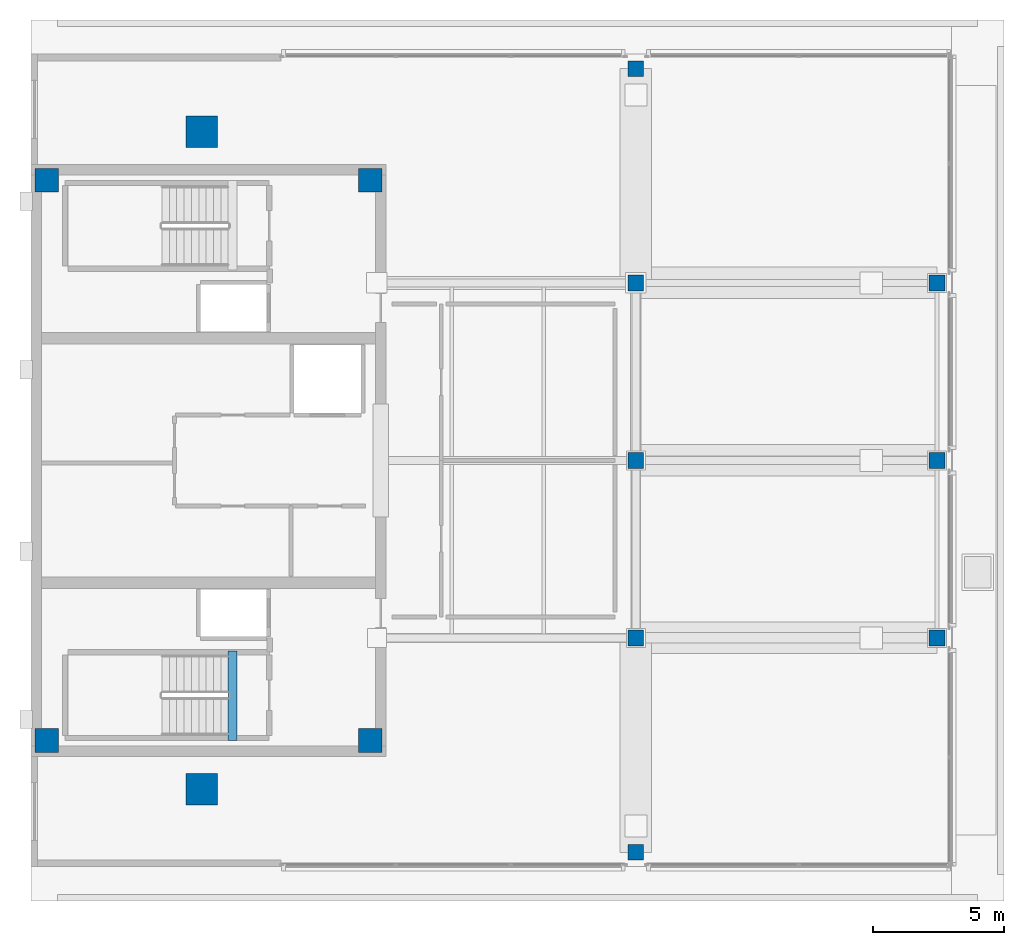
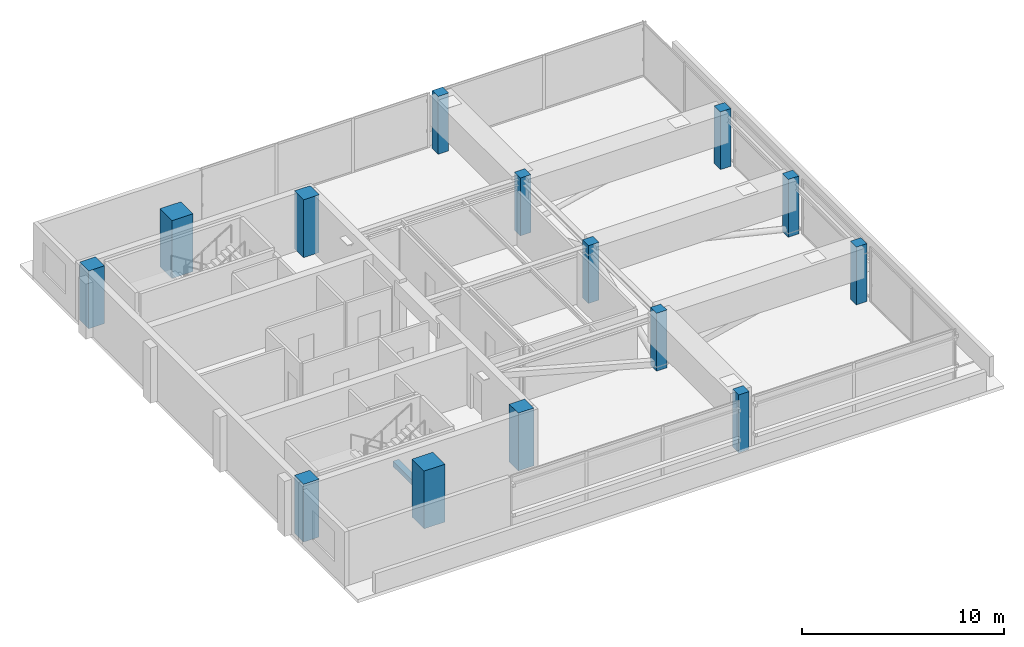
# One storey, part 1 of 11: 14 columns, 1 beam.
"""IFC4 building model written with IfcOpenShell, lengths in metres."""

from ifc_helpers import new_model, si_unit, direction, frame, origin, origin_2d, place, context, subcontext, project, spatial, rectangle, extrude, material, material_profile, profile_set, type_object, element, save


model = new_model("IFC4")

# Units and contexts
model_context = context("Model", 3, precision=1e-05, world=origin(), true_north=direction((0.0, 1.0)))
body_context = subcontext(model_context, "Body", "Model", "MODEL_VIEW")
ifc_project = project(units=[si_unit("LENGTHUNIT", "METRE"), si_unit("AREAUNIT", "SQUARE_METRE"), si_unit("VOLUMEUNIT", "CUBIC_METRE"), si_unit("PLANEANGLEUNIT", "RADIAN"), si_unit("MASSUNIT", "GRAM", prefix="KILO")], contexts=[model_context])

# Site, building, storey
site_placement = place(None, origin())
site = spatial("IfcSite", under=ifc_project, at=site_placement, CompositionType="ELEMENT")
building_placement = place(site_placement, origin())
building = spatial("IfcBuilding", under=site, at=building_placement, Name="Kinhvarn Gate Tower", CompositionType="ELEMENT")
storey_placement = place(building_placement, frame((0.0, 0.0, 307.550048828125)))
storey = spatial("IfcBuildingStorey", under=building, at=storey_placement, Name="L81", CompositionType="ELEMENT", Elevation=307.550048828125)

# Columns
ifc_material_1 = material(Name="Concrete C60/75", Category="concrete")
ifc_material_profile_1 = material_profile(ifc_material_1, rectangle(XDim=1.199951171875, YDim=1.199951171875, at=origin_2d()), Name="RC 1200x1200")
ifc_profile_set_1 = profile_set([ifc_material_profile_1], Name="Concrete C60/75")
column_type_1 = type_object("IfcColumnType", Name="COL-RC-1200", PredefinedType="COLUMN", material=ifc_profile_set_1)
for number, where, z_axis, x_axis, name in (
    (1, (11.0, 12.75, 0.0), (0.0, 0.0, 1.0), (1.0, 0.0, 0.0), "Column MC1-L81 (C-120)"),
    (2, (11.0, 37.75, 0.0), (0.0, 0.0, 1.0), (1.0, 0.0, 0.0), "Column MC4-L81 (C-120)"),
):
    element("IfcColumn", number, at=place(storey_placement, frame(where, z_axis=z_axis, x_axis=x_axis)), inside=storey, type_object=column_type_1, Name=name, PredefinedType="COLUMN", context=body_context, shape_type="SweptSolid", body=[
        extrude(rectangle(XDim=1.199951171875, YDim=1.199951171875, at=origin_2d()), origin(), (0.0, 0.0, 1.0), 3.5),
    ])
ifc_material_2 = material(Name="Concrete C50/60", Category="concrete")
ifc_material_profile_2 = material_profile(ifc_material_2, rectangle(XDim=0.60009765625, YDim=0.60009765625, at=origin_2d()), Name="RC 600x600")
ifc_profile_set_2 = profile_set([ifc_material_profile_2], Name="Concrete C50/60")
column_type_2 = type_object("IfcColumnType", Name="COL-RC-600", PredefinedType="COLUMN", material=ifc_profile_set_2)
for number, where, z_axis, x_axis, name in (
    (3, (38.949951171875, 18.5, 0.0), (0.0, 0.0, 1.0), (1.0, 0.0, 0.0), "Column CCR-E1-L81 (C-060)"),
    (4, (27.5, 18.5, 0.0), (0.0, 0.0, 1.0), (1.0, 0.0, 0.0), "Column CRANC-1-L81 (C-060)"),
    (5, (38.949951171875, 25.25, 0.0), (0.0, 0.0, 1.0), (1.0, 0.0, 0.0), "Column CCR-E2-L81 (C-060)"),
    (6, (27.5, 25.25, 0.0), (0.0, 0.0, 1.0), (1.0, 0.0, 0.0), "Column CRANC-2-L81 (C-060)"),
    (7, (38.949951171875, 32.0, 0.0), (0.0, 0.0, 1.0), (1.0, 0.0, 0.0), "Column CCR-E3-L81 (C-060)"),
    (8, (27.5, 32.0, 0.0), (0.0, 0.0, 1.0), (1.0, 0.0, 0.0), "Column CRANC-3-L81 (C-060)"),
    (9, (27.5, 10.35009765625, 0.0), (0.0, 0.0, 1.0), (1.0, 0.0, 0.0), "Column CCR-S1-L81 (C-060)"),
    (10, (27.5, 40.14990234375, 0.0), (0.0, 0.0, 1.0), (1.0, 0.0, 0.0), "Column CCR-N1-L81 (C-060)"),
):
    element("IfcColumn", number, at=place(storey_placement, frame(where, z_axis=z_axis, x_axis=x_axis)), inside=storey, type_object=column_type_2, Name=name, PredefinedType="COLUMN", context=body_context, shape_type="SweptSolid", body=[
        extrude(rectangle(XDim=0.60009765625, YDim=0.60009765625, at=origin_2d()), origin(), (0.0, 0.0, 1.0), 3.5),
    ])
ifc_material_profile_3 = material_profile(ifc_material_2, rectangle(XDim=0.89990234375, YDim=0.89990234375, at=origin_2d()), Name="RC 900x900")
ifc_profile_set_3 = profile_set([ifc_material_profile_3], Name="Concrete C50/60")
column_type_3 = type_object("IfcColumnType", Name="PIL-RC-900", PredefinedType="PILASTER", material=ifc_profile_set_3)
for number, where, z_axis, x_axis, name in (
    (11, (5.10009765625, 14.60009765625, 0.0), (0.0, 0.0, 1.0), (1.0, 0.0, 0.0), "Column CC-SW-L81 (CP-090)"),
    (12, (5.10009765625, 35.89990234375, 0.0), (0.0, 0.0, 1.0), (1.0, 0.0, 0.0), "Column CC-NW-L81 (CP-090)"),
    (13, (17.39990234375, 14.60009765625, 0.0), (0.0, 0.0, 1.0), (1.0, 0.0, 0.0), "Column CC-SE-L81 (CP-090)"),
    (14, (17.39990234375, 35.89990234375, 0.0), (0.0, 0.0, 1.0), (1.0, 0.0, 0.0), "Column CC-NE-L81 (CP-090)"),
):
    element("IfcColumn", number, at=place(storey_placement, frame(where, z_axis=z_axis, x_axis=x_axis)), inside=storey, type_object=column_type_3, Name=name, PredefinedType="PILASTER", context=body_context, shape_type="SweptSolid", body=[
        extrude(rectangle(XDim=0.89990234375, YDim=0.89990234375, at=origin_2d()), origin(), (0.0, 0.0, 1.0), 3.5),
    ])

# Beam
ifc_material_profile_4 = material_profile(ifc_material_2, rectangle(XDim=0.340087890625, YDim=0.320068359375, at=origin_2d()), Name="RC 340x320")
ifc_profile_set_4 = profile_set([ifc_material_profile_4], Name="Concrete C50/60")
beam_type = type_object("IfcBeamType", Name="BM-LND-500", PredefinedType="BEAM", material=ifc_profile_set_4)
beam_placement = place(storey_placement, frame((12.1650390625, 14.60009765625, -0.16015625), z_axis=(0.0, 1.0, 0.0), x_axis=(-1.0, 0.0, 0.0)))
element("IfcBeam", 15, at=beam_placement, inside=storey, type_object=beam_type, Name="Stair ST1 Landing Nosing Beam (L81)", PredefinedType="BEAM", context=body_context, shape_type="SweptSolid", body=[
    extrude(rectangle(XDim=0.340087890625, YDim=0.320068359375, at=origin_2d()), origin(), (0.0, 0.0, 1.0), 3.39990234375),
])

save(model, "model.ifc")
